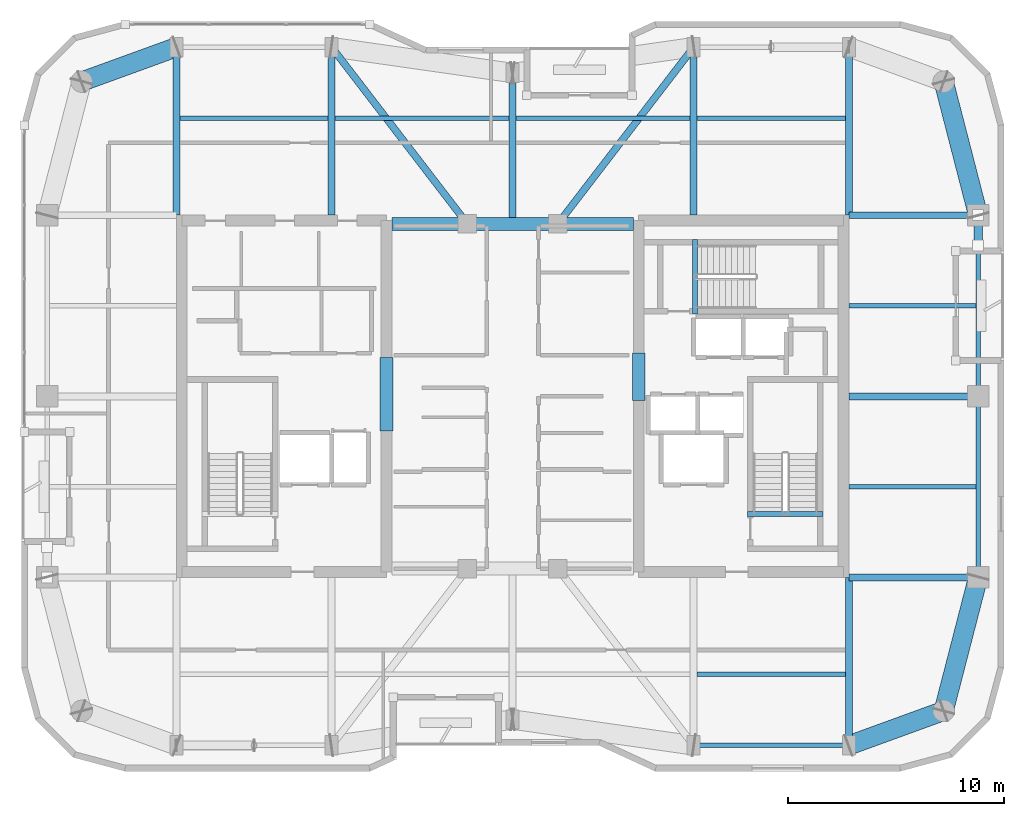
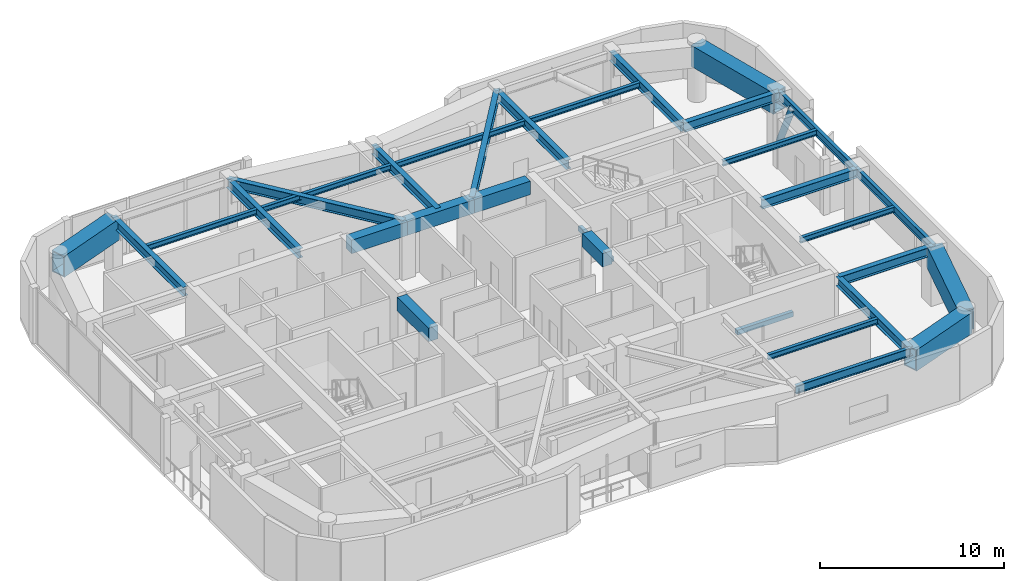
# One storey, part 5 of 15: 32 beams, 1 member.
"""IFC4 building model written with IfcOpenShell, lengths in metres."""

from ifc_helpers import new_model, si_unit, direction, frame, origin, origin_2d, place, context, subcontext, project, spatial, rectangle, hollow_rectangle, hollow_circle, i_section, extrude, material, material_profile, profile_set, type_object, element, save


model = new_model("IFC4")

# Units and contexts
model_context = context("Model", 3, precision=1e-05, world=origin(), true_north=direction((0.0, 1.0)))
body_context = subcontext(model_context, "Body", "Model", "MODEL_VIEW")
ifc_project = project(units=[si_unit("LENGTHUNIT", "METRE"), si_unit("AREAUNIT", "SQUARE_METRE"), si_unit("VOLUMEUNIT", "CUBIC_METRE"), si_unit("PLANEANGLEUNIT", "RADIAN"), si_unit("MASSUNIT", "GRAM", prefix="KILO")], contexts=[model_context])

# Site, building, storey
site_placement = place(None, origin())
site = spatial("IfcSite", under=ifc_project, at=site_placement, CompositionType="ELEMENT")
building_placement = place(site_placement, origin())
building = spatial("IfcBuilding", under=site, at=building_placement, Name="Kiyonajd Concourse Tower", CompositionType="ELEMENT")
storey_placement = place(building_placement, frame((0.0, 0.0, 286.199951171875)))
storey = spatial("IfcBuildingStorey", under=building, at=storey_placement, Name="L72", CompositionType="ELEMENT", Elevation=286.199951171875)

# Beams
ifc_material_1 = material(Name="Concrete C60/75", Category="concrete")
ifc_material_profile_1 = material_profile(ifc_material_1, rectangle(XDim=0.60009765625, YDim=0.89990234375, at=origin_2d()), Name="RCBM-600x900")
ifc_profile_set_1 = profile_set([ifc_material_profile_1], Name="Concrete C60/75")
beam_type_1 = type_object("IfcBeamType", Name="BM-COUP-900", PredefinedType="LINTEL", material=ifc_profile_set_1)
beam_1_placement = place(storey_placement, frame((42.39990234375, 44.0, 3.22998046875), z_axis=(1.0, 0.0, 0.0), x_axis=(0.0, 1.0, 0.0)))
element("IfcBeam", 1, at=beam_1_placement, inside=storey, type_object=beam_type_1, Name="L72 Core Coupling Beam N1", PredefinedType="LINTEL", context=body_context, shape_type="SweptSolid", body=[
    extrude(rectangle(XDim=0.60009765625, YDim=0.89990234375, at=origin_2d()), origin(), (0.0, 0.0, 1.0), 3.5),
])
beam_2_placement = place(storey_placement, frame((45.89990234375, 44.0, 3.22998046875), z_axis=(1.0, 0.0, 0.0), x_axis=(0.0, 1.0, 0.0)))
element("IfcBeam", 2, at=beam_2_placement, inside=storey, type_object=beam_type_1, Name="L72 Core Coupling Beam N2", PredefinedType="LINTEL", context=body_context, shape_type="SweptSolid", body=[
    extrude(rectangle(XDim=0.60009765625, YDim=0.89990234375, at=origin_2d()), origin(), (0.0, 0.0, 1.0), 4.2001953125),
])
beam_3_placement = place(storey_placement, frame((50.10009765625, 44.0, 3.22998046875), z_axis=(1.0, 0.0, 0.0), x_axis=(0.0, 1.0, 0.0)))
element("IfcBeam", 3, at=beam_3_placement, inside=storey, type_object=beam_type_1, Name="L72 Core Coupling Beam N3", PredefinedType="LINTEL", context=body_context, shape_type="SweptSolid", body=[
    extrude(rectangle(XDim=0.60009765625, YDim=0.89990234375, at=origin_2d()), origin(), (0.0, 0.0, 1.0), 3.5),
])
beam_4_placement = place(storey_placement, frame((42.14990234375, 34.39990234375, 3.22998046875), z_axis=(0.0, 1.0, 0.0), x_axis=(-1.0, 0.0, 0.0)))
element("IfcBeam", 4, at=beam_4_placement, inside=storey, type_object=beam_type_1, Name="L72 West Core Throat Coupling Lintel", PredefinedType="LINTEL", context=body_context, shape_type="SweptSolid", body=[
    extrude(rectangle(XDim=0.60009765625, YDim=0.89990234375, at=origin_2d()), origin(), (0.0, 0.0, 1.0), 3.400146484375),
])
beam_5_placement = place(storey_placement, frame((53.85009765625, 35.800048828125, 3.22998046875), z_axis=(0.0, 1.0, 0.0), x_axis=(-1.0, 0.0, 0.0)))
element("IfcBeam", 5, at=beam_5_placement, inside=storey, type_object=beam_type_1, Name="L72 East Core Throat Coupling Lintel", PredefinedType="LINTEL", context=body_context, shape_type="SweptSolid", body=[
    extrude(rectangle(XDim=0.60009765625, YDim=0.89990234375, at=origin_2d()), origin(), (0.0, 0.0, 1.0), 2.199951171875),
])
ifc_material_2 = material(Name="Steel ASTM A992 Grade 50", Category="steel")
ifc_material_profile_2 = material_profile(ifc_material_2, i_section(OverallWidth=0.205078125, OverallDepth=0.35400390625, WebThickness=0.009521484375, FlangeThickness=0.016845703125, at=origin_2d()), Name="W360X79")
ifc_profile_set_2 = profile_set([ifc_material_profile_2], Name="Steel ASTM A992 Grade 50")
beam_type_2 = type_object("IfcBeamType", Name="BM-JST-360", PredefinedType="JOIST", material=ifc_profile_set_2)
for number, where, z_axis, x_axis, name in (
    (6, (56.56201171875, 23.10009765625, 3.5029296875), (1.0, 0.0, 0.0), (0.0, 1.0, 0.0), "L72 Secondary Floor Joist"),
    (7, (32.56201171875, 48.89990234375, 3.5029296875), (1.0, 0.0, 0.0), (0.0, 1.0, 0.0), "L72 Secondary Floor Joist"),
):
    element("IfcBeam", number, at=place(storey_placement, frame(where, z_axis=z_axis, x_axis=x_axis)), inside=storey, type_object=beam_type_2, Name=name, PredefinedType="JOIST", context=body_context, shape_type="SweptSolid", body=[
        extrude(i_section(OverallWidth=0.205078125, OverallDepth=0.35400390625, WebThickness=0.009521484375, FlangeThickness=0.016845703125, at=origin_2d()), origin(), (0.0, 0.0, 1.0), 6.8759765625),
    ])
for number, where, z_axis, x_axis, name in (
    (8, (39.761962890625, 48.89990234375, 3.5029296875), (1.0, 0.0, 0.0), (0.0, 1.0, 0.0), "L72 Secondary Floor Joist"),
    (9, (48.162109375, 48.89990234375, 3.5029296875), (1.0, 0.0, 0.0), (0.0, 1.0, 0.0), "L72 Secondary Floor Joist"),
):
    element("IfcBeam", number, at=place(storey_placement, frame(where, z_axis=z_axis, x_axis=x_axis)), inside=storey, type_object=beam_type_2, Name=name, PredefinedType="JOIST", context=body_context, shape_type="SweptSolid", body=[
        extrude(i_section(OverallWidth=0.205078125, OverallDepth=0.35400390625, WebThickness=0.009521484375, FlangeThickness=0.016845703125, at=origin_2d()), origin(), (0.0, 0.0, 1.0), 8.075927734375),
    ])
beam_6_placement = place(storey_placement, frame((56.56201171875, 48.89990234375, 3.5029296875), z_axis=(1.0, 0.0, 0.0), x_axis=(0.0, 1.0, 0.0)))
element("IfcBeam", 10, at=beam_6_placement, inside=storey, type_object=beam_type_2, Name="L72 Secondary Floor Joist", PredefinedType="JOIST", context=body_context, shape_type="SweptSolid", body=[
    extrude(i_section(OverallWidth=0.205078125, OverallDepth=0.35400390625, WebThickness=0.009521484375, FlangeThickness=0.016845703125, at=origin_2d()), origin(), (0.0, 0.0, 1.0), 6.8759765625),
])
for number, where, z_axis, x_axis, name in (
    (11, (63.60009765625, 31.800048828125, 3.5029296875), (1.0, 0.0, 0.0), (0.0, 1.0, 0.0), "L72 East Secondary Floor Joist"),
    (12, (63.60009765625, 40.199951171875, 3.5029296875), (1.0, 0.0, 0.0), (0.0, 1.0, 0.0), "L72 East Secondary Floor Joist"),
):
    element("IfcBeam", number, at=place(storey_placement, frame(where, z_axis=z_axis, x_axis=x_axis)), inside=storey, type_object=beam_type_2, Name=name, PredefinedType="JOIST", context=body_context, shape_type="SweptSolid", body=[
        extrude(i_section(OverallWidth=0.205078125, OverallDepth=0.35400390625, WebThickness=0.009521484375, FlangeThickness=0.016845703125, at=origin_2d()), origin(), (0.0, 0.0, 1.0), 5.894287109375),
    ])
ifc_material_3 = material(Name="Concrete C50/60", Category="concrete")
ifc_material_profile_3 = material_profile(ifc_material_3, rectangle(XDim=0.239990234375, YDim=0.320068359375, at=origin_2d()), Name="RCBM-240x320")
ifc_profile_set_3 = profile_set([ifc_material_profile_3], Name="Concrete C50/60")
beam_type_3 = type_object("IfcBeamType", Name="BM-LNT-250", PredefinedType="LINTEL", material=ifc_profile_set_3)
beam_7_placement = place(storey_placement, frame((58.889892578125, 30.530029296875, -0.159912109375), z_axis=(1.0, 0.0, 0.0), x_axis=(0.0, 1.0, 0.0)))
element("IfcBeam", 13, at=beam_7_placement, inside=storey, type_object=beam_type_3, Name="L72 Stair ST2 Threshold Support Beam", PredefinedType="LINTEL", context=body_context, shape_type="SweptSolid", body=[
    extrude(rectangle(XDim=0.239990234375, YDim=0.320068359375, at=origin_2d()), origin(), (0.0, 0.0, 1.0), 3.52001953125),
])
beam_8_placement = place(storey_placement, frame((56.4599609375, 39.820068359375, -0.159912109375), z_axis=(0.0, 1.0, 0.0), x_axis=(-1.0, 0.0, 0.0)))
element("IfcBeam", 14, at=beam_8_placement, inside=storey, type_object=beam_type_3, Name="L72 Stair ST3 Threshold Support Beam", PredefinedType="LINTEL", context=body_context, shape_type="SweptSolid", body=[
    extrude(rectangle(XDim=0.239990234375, YDim=0.320068359375, at=origin_2d()), origin(), (0.0, 0.0, 1.0), 3.4599609375),
])
ifc_material_profile_4 = material_profile(ifc_material_2, i_section(OverallWidth=0.2109375, OverallDepth=0.5390625, WebThickness=0.01171875, FlangeThickness=0.018798828125, at=origin_2d()), Name="W530X109")
ifc_profile_set_4 = profile_set([ifc_material_profile_4], Name="Steel ASTM A992 Grade 50")
beam_type_4 = type_object("IfcBeamType", Name="BM-SPAN-530B", PredefinedType="SPANDREL", material=ifc_profile_set_4)
beam_9_placement = place(storey_placement, frame((56.39990234375, 19.800048828125, 3.41064453125), z_axis=(1.0, 0.0, 0.0), x_axis=(0.0, 1.0, 0.0)))
element("IfcBeam", 15, at=beam_9_placement, inside=storey, type_object=beam_type_4, Name="L72 Perimeter Bundled Tube Spandrel", PredefinedType="SPANDREL", context=body_context, shape_type="SweptSolid", body=[
    extrude(i_section(OverallWidth=0.2109375, OverallDepth=0.5390625, WebThickness=0.01171875, FlangeThickness=0.018798828125, at=origin_2d()), origin(), (0.0, 0.0, 1.0), 7.2001953125),
])
for number, where, z_axis, x_axis, name in (
    (16, (69.60009765625, 27.60009765625, 3.41064453125), (0.0, 1.0, 0.0), (-1.0, 0.0, 0.0), "L72 Perimeter Bundled Tube Spandrel"),
    (17, (69.60009765625, 36.0, 3.41064453125), (0.0, 1.0, 0.0), (-1.0, 0.0, 0.0), "L72 Perimeter Bundled Tube Spandrel"),
):
    element("IfcBeam", number, at=place(storey_placement, frame(where, z_axis=z_axis, x_axis=x_axis)), inside=storey, type_object=beam_type_4, Name=name, PredefinedType="SPANDREL", context=body_context, shape_type="SweptSolid", body=[
        extrude(i_section(OverallWidth=0.2109375, OverallDepth=0.5390625, WebThickness=0.01171875, FlangeThickness=0.018798828125, at=origin_2d()), origin(), (0.0, 0.0, 1.0), 8.39990234375),
    ])
ifc_material_profile_5 = material_profile(ifc_material_2, i_section(OverallWidth=0.326904296875, OverallDepth=0.6220703125, WebThickness=0.015380859375, FlangeThickness=0.0244140625, at=origin_2d()), Name="W610X195")
ifc_profile_set_5 = profile_set([ifc_material_profile_5], Name="Steel ASTM A992 Grade 50")
beam_type_5 = type_object("IfcBeamType", Name="BM-TWR-610A", PredefinedType="BEAM", material=ifc_profile_set_5)
for number, where, z_axis, x_axis, name in (
    (18, (39.60009765625, 52.199951171875, 3.369140625), (0.609233709922, -0.792990722956, 0.0), (0.792990722956, 0.609233709922, 0.0), "L72 Core Tie Girder"),
    (19, (50.10009765625, 44.0, 3.369140625), (0.609233709922, 0.792990722956, 0.0), (-0.792990722956, 0.609233709922, 0.0), "L72 Core Tie Girder"),
):
    element("IfcBeam", number, at=place(storey_placement, frame(where, z_axis=z_axis, x_axis=x_axis)), inside=storey, type_object=beam_type_5, Name=name, PredefinedType="BEAM", context=body_context, shape_type="SweptSolid", body=[
        extrude(i_section(OverallWidth=0.326904296875, OverallDepth=0.6220703125, WebThickness=0.015380859375, FlangeThickness=0.0244140625, at=origin_2d()), origin(), (0.0, 0.0, 1.0), 10.340576171875),
    ])
ifc_material_profile_6 = material_profile(ifc_material_2, i_section(OverallWidth=0.323974609375, OverallDepth=0.611083984375, WebThickness=0.0126953125, FlangeThickness=0.01904296875, at=origin_2d()), Name="W610X155")
ifc_profile_set_6 = profile_set([ifc_material_profile_6], Name="Steel ASTM A992 Grade 50")
beam_type_6 = type_object("IfcBeamType", Name="BM-TWR-610B", PredefinedType="BEAM", material=ifc_profile_set_6)
for number, where, z_axis, x_axis, name in (
    (20, (32.39990234375, 44.39990234375, 3.37451171875), (0.0, 1.0, 0.0), (-1.0, 0.0, 0.0), "L72 North Lease Girder"),
    (21, (39.60009765625, 44.39990234375, 3.37451171875), (0.0, 1.0, 0.0), (-1.0, 0.0, 0.0), "L72 North Lease Girder"),
    (22, (56.39990234375, 44.39990234375, 3.37451171875), (0.0, 1.0, 0.0), (-1.0, 0.0, 0.0), "L72 North Lease Girder"),
    (23, (63.60009765625, 19.800048828125, 3.37451171875), (0.0, 1.0, 0.0), (-1.0, 0.0, 0.0), "L72 South Lease Girder"),
    (24, (63.60009765625, 44.39990234375, 3.37451171875), (0.0, 1.0, 0.0), (-1.0, 0.0, 0.0), "L72 North Lease Girder"),
):
    element("IfcBeam", number, at=place(storey_placement, frame(where, z_axis=z_axis, x_axis=x_axis)), inside=storey, type_object=beam_type_6, Name=name, PredefinedType="BEAM", context=body_context, shape_type="SweptSolid", body=[
        extrude(i_section(OverallWidth=0.323974609375, OverallDepth=0.611083984375, WebThickness=0.0126953125, FlangeThickness=0.01904296875, at=origin_2d()), origin(), (0.0, 0.0, 1.0), 7.800048828125),
    ])
beam_10_placement = place(storey_placement, frame((48.0, 44.0, 3.37451171875), z_axis=(0.0, 1.0, 0.0), x_axis=(-1.0, 0.0, 0.0)))
element("IfcBeam", 25, at=beam_10_placement, inside=storey, type_object=beam_type_6, Name="L72 North Ribbon Girder", PredefinedType="BEAM", context=body_context, shape_type="SweptSolid", body=[
    extrude(i_section(OverallWidth=0.323974609375, OverallDepth=0.611083984375, WebThickness=0.0126953125, FlangeThickness=0.01904296875, at=origin_2d()), origin(), (0.0, 0.0, 1.0), 7.0),
])
for number, where, z_axis, x_axis, name in (
    (26, (63.60009765625, 27.60009765625, 3.37451171875), (1.0, 0.0, 0.0), (0.0, 1.0, 0.0), "L72 East Lease Girder"),
    (27, (63.60009765625, 36.0, 3.37451171875), (1.0, 0.0, 0.0), (0.0, 1.0, 0.0), "L72 East Lease Girder"),
    (28, (63.60009765625, 44.39990234375, 3.37451171875), (1.0, 0.0, 0.0), (0.0, 1.0, 0.0), "L72 East Lease Girder"),
):
    element("IfcBeam", number, at=place(storey_placement, frame(where, z_axis=z_axis, x_axis=x_axis)), inside=storey, type_object=beam_type_6, Name=name, PredefinedType="BEAM", context=body_context, shape_type="SweptSolid", body=[
        extrude(i_section(OverallWidth=0.323974609375, OverallDepth=0.611083984375, WebThickness=0.0126953125, FlangeThickness=0.01904296875, at=origin_2d()), origin(), (0.0, 0.0, 1.0), 6.0),
    ])
ifc_material_4 = material(Name="Steel ASTM A572 Grade 50", Category="steel")
ifc_material_profile_7 = material_profile(ifc_material_4, hollow_rectangle(XDim=0.89990234375, YDim=1.39990234375, WallThickness=0.070068359375, at=origin_2d()), Name="BOX-1400x900x70")
ifc_profile_set_7 = profile_set([ifc_material_profile_7], Name="Steel ASTM A572 Grade 50")
beam_type_7 = type_object("IfcBeamType", Name="BM-XFER-1400", PredefinedType="BEAM", material=ifc_profile_set_7)
beam_11_placement = place(storey_placement, frame((63.60009765625, 19.800048828125, 2.97998046875), z_axis=(0.939801036019, 0.341722127901, 0.0), x_axis=(-0.341722127901, 0.939801036019, 0.0)))
element("IfcBeam", 29, at=beam_11_placement, inside=storey, type_object=beam_type_7, Name="L72 Perimeter Bundled Tube Spandrel", PredefinedType="BEAM", context=body_context, shape_type="SweptSolid", body=[
    extrude(hollow_rectangle(XDim=0.89990234375, YDim=1.39990234375, WallThickness=0.070068359375, at=origin_2d()), origin(), (0.0, 0.0, 1.0), 4.681640625),
])
for number, where, z_axis, x_axis, name in (
    (30, (68.0, 21.39990234375, 2.97998046875), (0.249884937687, 0.968275538221, 0.0), (-0.968275538221, 0.249884937687, 0.0), "L72 Perimeter Bundled Tube Spandrel"),
    (31, (69.60009765625, 44.39990234375, 2.97998046875), (-0.249884937687, 0.968275538221, 0.0), (-0.968275538221, -0.249884937687, 0.0), "L72 Perimeter Bundled Tube Spandrel"),
):
    element("IfcBeam", number, at=place(storey_placement, frame(where, z_axis=z_axis, x_axis=x_axis)), inside=storey, type_object=beam_type_7, Name=name, PredefinedType="BEAM", context=body_context, shape_type="SweptSolid", body=[
        extrude(hollow_rectangle(XDim=0.89990234375, YDim=1.39990234375, WallThickness=0.070068359375, at=origin_2d()), origin(), (0.0, 0.0, 1.0), 6.4033203125),
    ])
beam_12_placement = place(storey_placement, frame((32.39990234375, 52.199951171875, 2.97998046875), z_axis=(-0.939801036019, -0.341722127901, 0.0), x_axis=(0.341722127901, -0.939801036019, 0.0)))
element("IfcBeam", 32, at=beam_12_placement, inside=storey, type_object=beam_type_7, Name="L72 Perimeter Bundled Tube Spandrel", PredefinedType="BEAM", context=body_context, shape_type="SweptSolid", body=[
    extrude(hollow_rectangle(XDim=0.89990234375, YDim=1.39990234375, WallThickness=0.070068359375, at=origin_2d()), origin(), (0.0, 0.0, 1.0), 4.681640625),
])

# Member
ifc_material_5 = material(Name="Steel ASTM A500 Grade C", Category="steel")
ifc_material_profile_8 = material_profile(ifc_material_5, hollow_circle(Radius=0.202880859375, WallThickness=0.01904296875, at=origin_2d()), Name="CHS-406x19")
ifc_profile_set_8 = profile_set([ifc_material_profile_8], Name="Steel ASTM A500 Grade C")
member_type = type_object("IfcMemberType", Name="MB-PB-HIGH", PredefinedType="BRACE", material=ifc_profile_set_8)
member_placement = place(storey_placement, frame((69.60009765625, 44.39990234375, 0.300048828125), z_axis=(0.0, -0.419410666774, 0.907796614114), x_axis=(1.0, 0.0, 0.0)))
element("IfcMember", 33, at=member_placement, inside=storey, type_object=member_type, Name="L72 Upper Zone Hollow Tube Brace PBE", PredefinedType="BRACE", context=body_context, shape_type="SweptSolid", body=[
    extrude(hollow_circle(Radius=0.202880859375, WallThickness=0.01904296875, at=origin_2d()), origin(), (0.0, 0.0, 1.0), 3.337890625),
])

save(model, "model.ifc")
